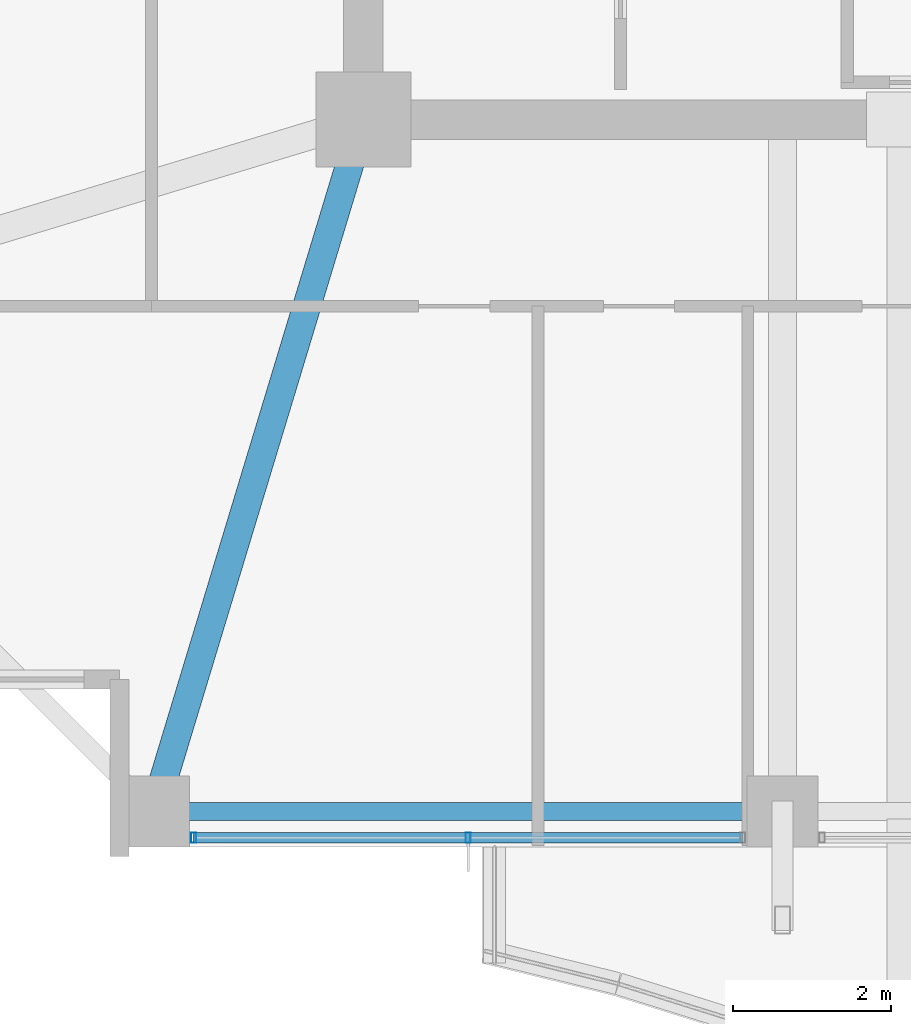
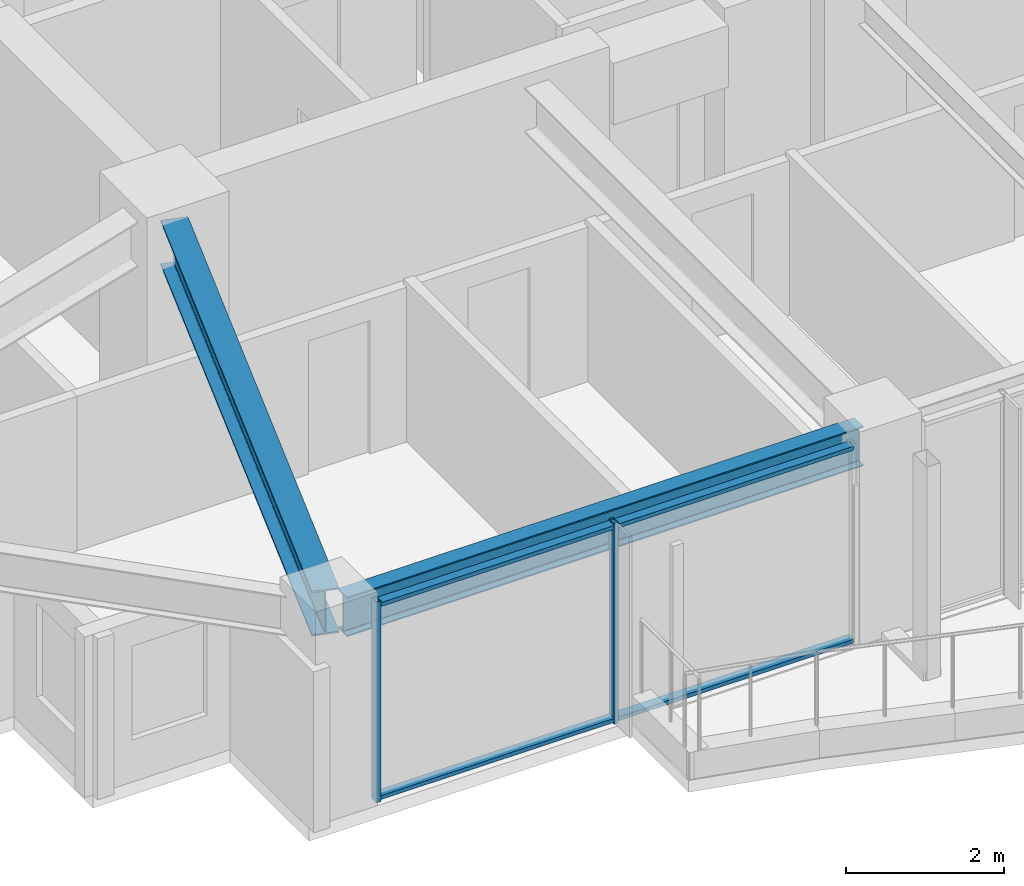
# One storey, part 2 of 34: 4 members, 2 beams, 1 element without a shape of its own.
"""IFC4 building model written with IfcOpenShell, lengths in metres."""

from ifc_helpers import new_model, si_unit, direction, frame, origin, origin_2d, place, context, subcontext, project, spatial, hollow_rectangle, i_section, extrude, material, material_profile, profile_set, type_object, element, aggregate, save


model = new_model("IFC4")

# Units and contexts
model_context = context("Model", 3, precision=1e-05, world=origin(), true_north=direction((0.0, 1.0)))
body_context = subcontext(model_context, "Body", "Model", "MODEL_VIEW")
ifc_project = project(units=[si_unit("LENGTHUNIT", "METRE"), si_unit("AREAUNIT", "SQUARE_METRE"), si_unit("VOLUMEUNIT", "CUBIC_METRE"), si_unit("PLANEANGLEUNIT", "RADIAN"), si_unit("MASSUNIT", "GRAM", prefix="KILO")], contexts=[model_context])

# Site, building, storey
site_placement = place(None, origin())
site = spatial("IfcSite", under=ifc_project, at=site_placement, CompositionType="ELEMENT")
building_placement = place(site_placement, origin())
building = spatial("IfcBuilding", under=site, at=building_placement, Name="Kolvaren Belvedere", CompositionType="ELEMENT")
storey_placement = place(building_placement, frame((0.0, 0.0, 166.800048828125)))
storey = spatial("IfcBuildingStorey", under=building, at=storey_placement, Name="L48", CompositionType="ELEMENT", Elevation=166.800048828125)

# Beams
ifc_material_1 = material(Name="Structural steel ASTM A992 Grade 50", Category="steel")
ifc_material_profile_1 = material_profile(ifc_material_1, i_section(OverallWidth=0.35498046875, OverallDepth=0.696044921875, WebThickness=0.015380859375, FlangeThickness=0.02490234375, FilletRadius=0.02197265625, at=origin_2d()), Name="W27X146")
ifc_profile_set_1 = profile_set([ifc_material_profile_1], Name="Structural steel ASTM A992 Grade 50")
beam_type_1 = type_object("IfcBeamType", Name="BM-GIRD-W27X146", PredefinedType="BEAM", material=ifc_profile_set_1)
beam_1_placement = place(storey_placement, frame((-10.059326171875, -10.426513671875, 2.751953125), z_axis=(-0.289865629086, -0.957067352423, 0.0), x_axis=(0.957067352423, -0.289865629086, 0.0)))
element("IfcBeam", 1, at=beam_1_placement, inside=storey, type_object=beam_type_1, Name="L48 Corner Core-to-Perimeter Girder CC1-S1", PredefinedType="BEAM", context=body_context, shape_type="SweptSolid", body=[
    extrude(i_section(OverallWidth=0.35498046875, OverallDepth=0.696044921875, WebThickness=0.015380859375, FlangeThickness=0.02490234375, FilletRadius=0.02197265625, at=origin_2d()), origin(), (0.0, 0.0, 1.0), 8.412353515625),
])
ifc_material_2 = material(Name="Structural steel ASTM A992 Grade 50", Category="steel")
ifc_material_profile_2 = material_profile(ifc_material_2, i_section(OverallWidth=0.22900390625, OverallDepth=0.612060546875, WebThickness=0.011962890625, FlangeThickness=0.01953125, FilletRadius=0.01806640625, at=origin_2d()), Name="W24X84")
ifc_profile_set_2 = profile_set([ifc_material_profile_2], Name="Structural steel ASTM A992 Grade 50")
beam_type_2 = type_object("IfcBeamType", Name="BM-SPAN-W24X84", PredefinedType="SPANDREL", material=ifc_profile_set_2)
beam_2_placement = place(storey_placement, frame((-12.347412109375, -18.64990234375, 2.7939453125), z_axis=(1.0, 0.0, 0.0), x_axis=(0.0, 1.0, 0.0)))
element("IfcBeam", 2, at=beam_2_placement, inside=storey, type_object=beam_type_2, Name="L48 Perimeter Spandrel S1-S2", PredefinedType="SPANDREL", context=body_context, shape_type="SweptSolid", body=[
    extrude(i_section(OverallWidth=0.22900390625, OverallDepth=0.612060546875, WebThickness=0.011962890625, FlangeThickness=0.01953125, FilletRadius=0.01806640625, at=origin_2d()), origin(), (0.0, 0.0, 1.0), 7.544921875),
])

# Curtain wall, members
ifc_material_3 = material(Name="Anodised pale-metal aluminium AA 6063-T6", Category="aluminium")
curtain_wall_type = type_object("IfcCurtainWallType", Name="CW-Z3-WAIST", PredefinedType="NOTDEFINED", material=ifc_material_3)
curtain_wall_placement = place(storey_placement, origin())
curtain_wall = element("IfcCurtainWall", 3, at=curtain_wall_placement, inside=storey, type_object=curtain_wall_type, Name="L48 Unitised Curtain Wall FCW-L48-S2-B2", PredefinedType="NOTDEFINED")
ifc_material_4 = material(Name="Anodised pale-metal aluminium AA 6063-T6", Category="aluminium")
ifc_material_profile_3 = material_profile(ifc_material_4, hollow_rectangle(XDim=0.06494140625, YDim=0.1298828125, WallThickness=0.00390625, at=origin_2d()), Name="ALU-MUL-130X65")
ifc_profile_set_3 = profile_set([ifc_material_profile_3], Name="Anodised pale-metal aluminium AA 6063-T6")
member_type_1 = type_object("IfcMemberType", Name="CW-MUL-130", PredefinedType="MULLION", material=ifc_profile_set_3)
member_1_placement = place(storey_placement, frame((-8.574951171875, -18.97998046875, 0.0), z_axis=(0.0, 0.0, 1.0), x_axis=(1.0, 0.0, 0.0)))
member_1 = element("IfcMember", 4, at=member_1_placement, type_object=member_type_1, Name="FCW-L48-S2-B2 Unitised Mullion 2", PredefinedType="MULLION", context=body_context, shape_type="SweptSolid", body=[
    extrude(hollow_rectangle(XDim=0.06494140625, YDim=0.1298828125, WallThickness=0.00390625, at=origin_2d()), origin(), (0.0, 0.0, 1.0), 3.099853515625),
])
member_2_placement = place(storey_placement, frame((-12.047607421875, -18.97998046875, 0.0), z_axis=(0.0, 0.0, 1.0), x_axis=(1.0, 0.0, 0.0)))
member_2 = element("IfcMember", 5, at=member_2_placement, type_object=member_type_1, Name="FCW-L48-S2-B2 Unitised Mullion 3", PredefinedType="MULLION", context=body_context, shape_type="SweptSolid", body=[
    extrude(hollow_rectangle(XDim=0.06494140625, YDim=0.1298828125, WallThickness=0.00390625, at=origin_2d()), origin(), (0.0, 0.0, 1.0), 3.099853515625),
])
ifc_material_5 = material(Name="Anodised pale-metal aluminium AA 6063-T6", Category="aluminium")
ifc_material_profile_4 = material_profile(ifc_material_5, hollow_rectangle(XDim=0.06005859375, YDim=0.1298828125, WallThickness=0.00390625, at=origin_2d()), Name="ALU-TRN-130X60")
ifc_profile_set_4 = profile_set([ifc_material_profile_4], Name="Anodised pale-metal aluminium AA 6063-T6")
member_type_2 = type_object("IfcMemberType", Name="CW-TRN-130", PredefinedType="USERDEFINED", material=ifc_profile_set_4)
member_3_placement = place(storey_placement, frame((-5.1025390625, -18.97998046875, 0.06005859375), z_axis=(-1.0, 0.0, 0.0), x_axis=(0.0, 0.0, 1.0)))
member_3 = element("IfcMember", 6, at=member_3_placement, type_object=member_type_2, Name="FCW-L48-S2-B2 Sill Transom", ObjectType="TRANSOM", PredefinedType="USERDEFINED", context=body_context, shape_type="SweptSolid", body=[
    extrude(hollow_rectangle(XDim=0.06005859375, YDim=0.1298828125, WallThickness=0.00390625, at=origin_2d()), origin(), (0.0, 0.0, 1.0), 6.945068359375),
])
member_4_placement = place(storey_placement, frame((-5.1025390625, -18.97998046875, 3.0400390625), z_axis=(-1.0, 0.0, 0.0), x_axis=(0.0, 0.0, 1.0)))
member_4 = element("IfcMember", 7, at=member_4_placement, type_object=member_type_2, Name="FCW-L48-S2-B2 Head Transom", ObjectType="TRANSOM", PredefinedType="USERDEFINED", context=body_context, shape_type="SweptSolid", body=[
    extrude(hollow_rectangle(XDim=0.06005859375, YDim=0.1298828125, WallThickness=0.00390625, at=origin_2d()), origin(), (0.0, 0.0, 1.0), 6.945068359375),
])
aggregate(curtain_wall, [member_1, member_2, member_3, member_4])

save(model, "model.ifc")
